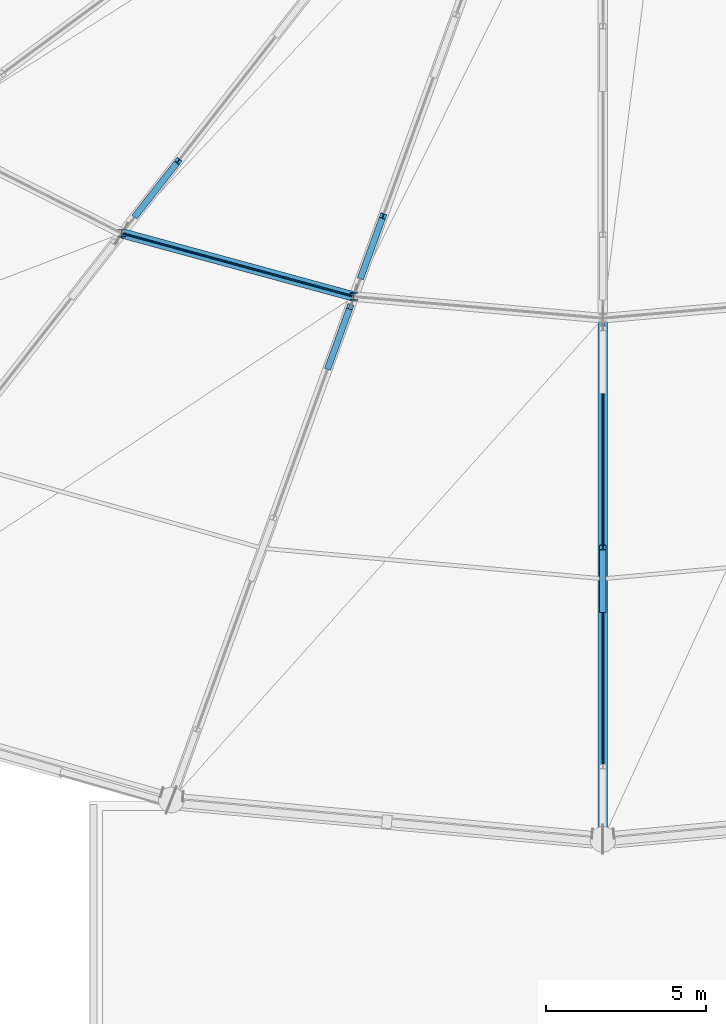
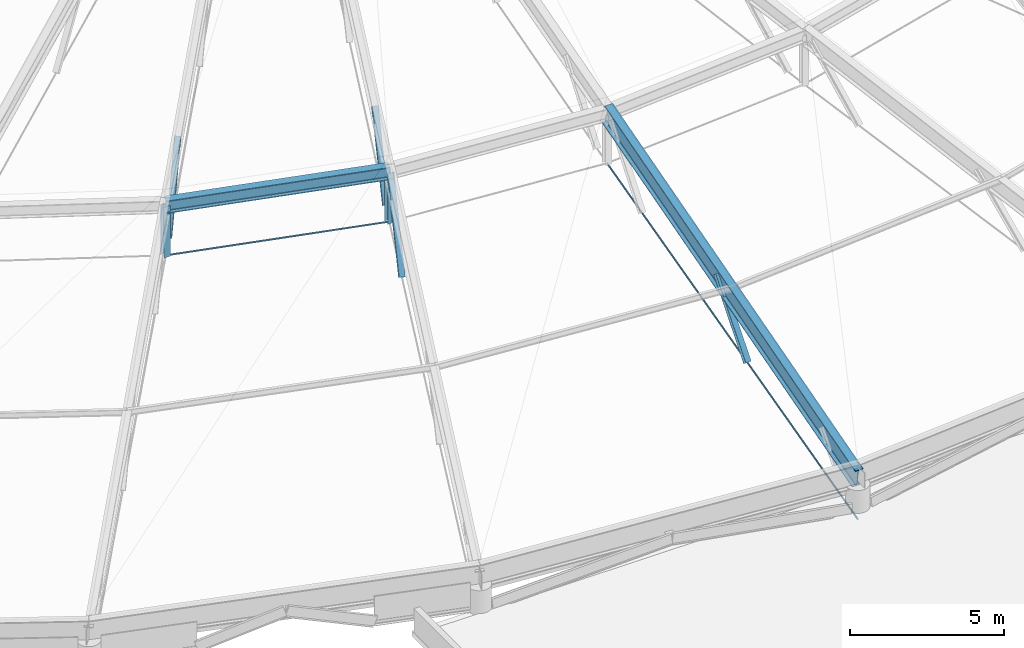
# One storey, part 4 of 83: 8 members, 2 beams.
"""IFC4 building model written with IfcOpenShell, lengths in metres."""

from ifc_helpers import new_model, si_unit, direction, frame, origin, origin_2d, place, context, subcontext, project, spatial, circle, i_section, extrude, material, material_profile, profile_set, type_object, element, save


model = new_model("IFC4")

# Units and contexts
model_context = context("Model", 3, precision=1e-05, world=origin(), true_north=direction((0.0, 1.0)))
body_context = subcontext(model_context, "Body", "Model", "MODEL_VIEW")
ifc_project = project(units=[si_unit("LENGTHUNIT", "METRE"), si_unit("AREAUNIT", "SQUARE_METRE"), si_unit("VOLUMEUNIT", "CUBIC_METRE"), si_unit("PLANEANGLEUNIT", "RADIAN"), si_unit("MASSUNIT", "GRAM", prefix="KILO")], contexts=[model_context])

# Site, building, storey
site_placement = place(None, origin())
site = spatial("IfcSite", under=ifc_project, at=site_placement, CompositionType="ELEMENT")
building_placement = place(site_placement, origin())
building = spatial("IfcBuilding", under=site, at=building_placement, Name="Kivolera Central Railway Station", CompositionType="ELEMENT")
storey_placement = place(building_placement, frame((0.0, 0.0, 14.39990234375)))
storey = spatial("IfcBuildingStorey", under=building, at=storey_placement, Name="L03", CompositionType="ELEMENT", Elevation=14.39990234375)

# Beams
ifc_material_1 = material(Name="Steel S355", Category="steel")
ifc_material_profile_1 = material_profile(ifc_material_1, i_section(OverallWidth=0.300048828125, OverallDepth=0.800048828125, WebThickness=0.017578125, FlangeThickness=0.032958984375, FilletRadius=0.030029296875, at=origin_2d()), Name="HEB 800")
ifc_profile_set_1 = profile_set([ifc_material_profile_1], Name="Steel S355")
beam_type_1 = type_object("IfcBeamType", Name="BM-DRB-HEB800", PredefinedType="BEAM", material=ifc_profile_set_1)
beam_1_placement = place(storey_placement, frame((64.0, 54.0, 1.18017578125), z_axis=(0.0, 0.962193680492, 0.272366152857), x_axis=(-1.0, 0.0, 0.0)))
element("IfcBeam", 1, at=beam_1_placement, inside=storey, type_object=beam_type_1, Name="Oval Dome Radial Arch Rib Outer Segment DRB1-19", PredefinedType="BEAM", context=body_context, shape_type="SweptSolid", body=[
    extrude(i_section(OverallWidth=0.300048828125, OverallDepth=0.800048828125, WebThickness=0.017578125, FlangeThickness=0.032958984375, FilletRadius=0.030029296875, at=origin_2d()), origin(), (0.0, 0.0, 1.0), 16.888427734375),
])
ifc_material_profile_2 = material_profile(ifc_material_1, i_section(OverallWidth=0.300048828125, OverallDepth=0.5, WebThickness=0.014404296875, FlangeThickness=0.028076171875, FilletRadius=0.027099609375, at=origin_2d()), Name="HEB 500")
ifc_profile_set_2 = profile_set([ifc_material_profile_2], Name="Steel S355")
beam_type_2 = type_object("IfcBeamType", Name="BM-HRG-HEB500", PredefinedType="BEAM", material=ifc_profile_set_2)
beam_2_placement = place(storey_placement, frame((49.0, 72.89599609375, 5.780029296875), z_axis=(0.964774338312, -0.263078840152, 0.0), x_axis=(0.263078840152, 0.964774338312, 0.0)))
element("IfcBeam", 2, at=beam_2_placement, inside=storey, type_object=beam_type_2, Name="Oval Dome Outer Hoop Ring Beam HRG1-17", PredefinedType="BEAM", context=body_context, shape_type="SweptSolid", body=[
    extrude(i_section(OverallWidth=0.300048828125, OverallDepth=0.5, WebThickness=0.014404296875, FlangeThickness=0.028076171875, FilletRadius=0.027099609375, at=origin_2d()), origin(), (0.0, 0.0, 1.0), 7.499267578125),
])

# Members
ifc_material_2 = material(Name="Spiral strand steel S460", Category="steel")
ifc_material_profile_3 = material_profile(ifc_material_2, circle(Radius=0.02392578125, at=origin_2d()), Name="CABLE D48")
ifc_profile_set_3 = profile_set([ifc_material_profile_3], Name="Spiral strand steel S460")
member_type_1 = type_object("IfcMemberType", Name="MEM-CABLE-D48", PredefinedType="USERDEFINED", material=ifc_profile_set_3)
member_1_placement = place(storey_placement, frame((49.0, 72.89599609375, 3.780029296875), z_axis=(0.964774338312, -0.263078840152, 0.0), x_axis=(0.263078840152, 0.964774338312, 0.0)))
element("IfcMember", 3, at=member_1_placement, inside=storey, type_object=member_type_1, Name="Dome Hoop Tension Cable HC1-17", ObjectType="TENSION_CABLE", PredefinedType="USERDEFINED", context=body_context, shape_type="SweptSolid", body=[
    extrude(circle(Radius=0.02392578125, at=origin_2d()), origin(), (0.0, 0.0, 1.0), 7.499267578125),
])
ifc_material_profile_4 = material_profile(ifc_material_2, circle(Radius=0.031982421875, at=origin_2d()), Name="CABLE D64")
ifc_profile_set_4 = profile_set([ifc_material_profile_4], Name="Spiral strand steel S460")
member_type_2 = type_object("IfcMemberType", Name="MEM-CABLE-D64", PredefinedType="USERDEFINED", material=ifc_profile_set_4)
member_2_placement = place(storey_placement, frame((64.0, 54.0, -0.449951171875), z_axis=(0.0, 0.96775023237, 0.251911666557), x_axis=(-1.0, 0.0, 0.0)))
element("IfcMember", 4, at=member_2_placement, inside=storey, type_object=member_type_2, Name="Dome Radial Spiral-Strand Tension Cable RC1-19", ObjectType="TENSION_CABLE", PredefinedType="USERDEFINED", context=body_context, shape_type="SweptSolid", body=[
    extrude(circle(Radius=0.031982421875, at=origin_2d()), origin(), (0.0, 0.0, 1.0), 16.79150390625),
])
ifc_material_profile_5 = material_profile(ifc_material_1, i_section(OverallWidth=0.239990234375, OverallDepth=0.22998046875, WebThickness=0.007568359375, FlangeThickness=0.011962890625, FilletRadius=0.02099609375, at=origin_2d()), Name="HEA 240")
ifc_profile_set_5 = profile_set([ifc_material_profile_5], Name="Steel S355")
member_type_3 = type_object("IfcMemberType", Name="MEM-RAF-HEA240", PredefinedType="STRUT", material=ifc_profile_set_5)
for number, where, z_axis, x_axis, name in (
    (5, (49.0, 72.89599609375, 3.780029296875), (0.0, 0.0, 1.0), (1.0, 0.0, 0.0), "Dome Ring Spreader Post DP1-17"),
    (6, (56.235107421875, 70.923095703125, 3.780029296875), (0.0, 0.0, 1.0), (1.0, 0.0, 0.0), "Dome Ring Spreader Post DP1-18"),
):
    element("IfcMember", number, at=place(storey_placement, frame(where, z_axis=z_axis, x_axis=x_axis)), inside=storey, type_object=member_type_3, Name=name, PredefinedType="STRUT", context=body_context, shape_type="SweptSolid", body=[
        extrude(i_section(OverallWidth=0.239990234375, OverallDepth=0.22998046875, WebThickness=0.007568359375, FlangeThickness=0.011962890625, FilletRadius=0.02099609375, at=origin_2d()), origin(), (0.0, 0.0, 1.0), 2.0),
    ])
ifc_material_profile_6 = material_profile(ifc_material_1, i_section(OverallWidth=0.199951171875, OverallDepth=0.199951171875, WebThickness=0.009033203125, FlangeThickness=0.014892578125, FilletRadius=0.01806640625, at=origin_2d()), Name="HEB 200")
ifc_profile_set_6 = profile_set([ifc_material_profile_6], Name="Steel S355")
member_type_4 = type_object("IfcMemberType", Name="MEM-RAF-HEB200", PredefinedType="RAFTER", material=ifc_profile_set_6)
member_3_placement = place(storey_placement, frame((49.43994140625, 73.458984375, 3.964111328125), z_axis=(0.396077804274, 0.506762761229, 0.765711353444), x_axis=(-0.787896583564, 0.615807578394, 0.0)))
element("IfcMember", 7, at=member_3_placement, inside=storey, type_object=member_type_4, Name="Dome Inner Truss Raking Web DWEB2-17.1", PredefinedType="RAFTER", context=body_context, shape_type="SweptSolid", body=[
    extrude(i_section(OverallWidth=0.199951171875, OverallDepth=0.199951171875, WebThickness=0.009033203125, FlangeThickness=0.014892578125, FilletRadius=0.01806640625, at=origin_2d()), origin(), (0.0, 0.0, 1.0), 3.332763671875),
])
member_4_placement = place(storey_placement, frame((55.43798828125, 68.72607421875, 3.18798828125), z_axis=(0.213245503761, 0.587758872409, 0.780426718552), x_axis=(-0.940042299079, 0.3410578777, 0.0)))
element("IfcMember", 8, at=member_4_placement, inside=storey, type_object=member_type_4, Name="Dome Radial Truss Raking Web DWEB1-18.3", PredefinedType="RAFTER", context=body_context, shape_type="SweptSolid", body=[
    extrude(i_section(OverallWidth=0.199951171875, OverallDepth=0.199951171875, WebThickness=0.009033203125, FlangeThickness=0.014892578125, FilletRadius=0.01806640625, at=origin_2d()), origin(), (0.0, 0.0, 1.0), 3.203369140625),
])
member_5_placement = place(storey_placement, frame((56.462890625, 71.551025390625, 3.964111328125), z_axis=(0.210557911999, 0.580426438616, 0.786619676242), x_axis=(-0.940056475347, 0.341018801766, 0.0)))
element("IfcMember", 9, at=member_5_placement, inside=storey, type_object=member_type_4, Name="Dome Inner Truss Raking Web DWEB2-18.1", PredefinedType="RAFTER", context=body_context, shape_type="SweptSolid", body=[
    extrude(i_section(OverallWidth=0.199951171875, OverallDepth=0.199951171875, WebThickness=0.009033203125, FlangeThickness=0.014892578125, FilletRadius=0.01806640625, at=origin_2d()), origin(), (0.0, 0.0, 1.0), 3.244384765625),
])
member_6_placement = place(storey_placement, frame((64.0, 61.14990234375, 1.4111328125), z_axis=(0.0, 0.639420350317, 0.768857344116), x_axis=(-1.0, 0.0, 0.0)))
element("IfcMember", 10, at=member_6_placement, inside=storey, type_object=member_type_4, Name="Dome Radial Truss Raking Web DWEB1-19.2", PredefinedType="RAFTER", context=body_context, shape_type="SweptSolid", body=[
    extrude(i_section(OverallWidth=0.199951171875, OverallDepth=0.199951171875, WebThickness=0.009033203125, FlangeThickness=0.014892578125, FilletRadius=0.01806640625, at=origin_2d()), origin(), (0.0, 0.0, 1.0), 3.050048828125),
])

save(model, "model.ifc")
